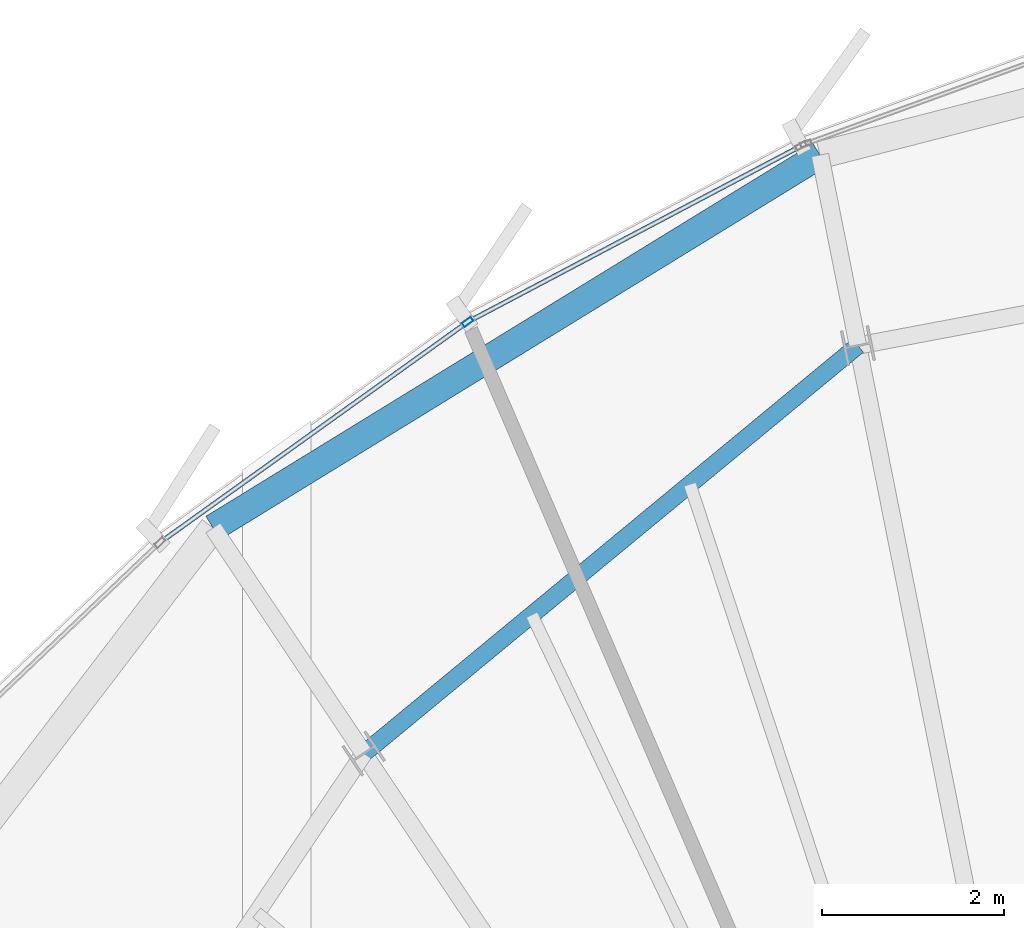
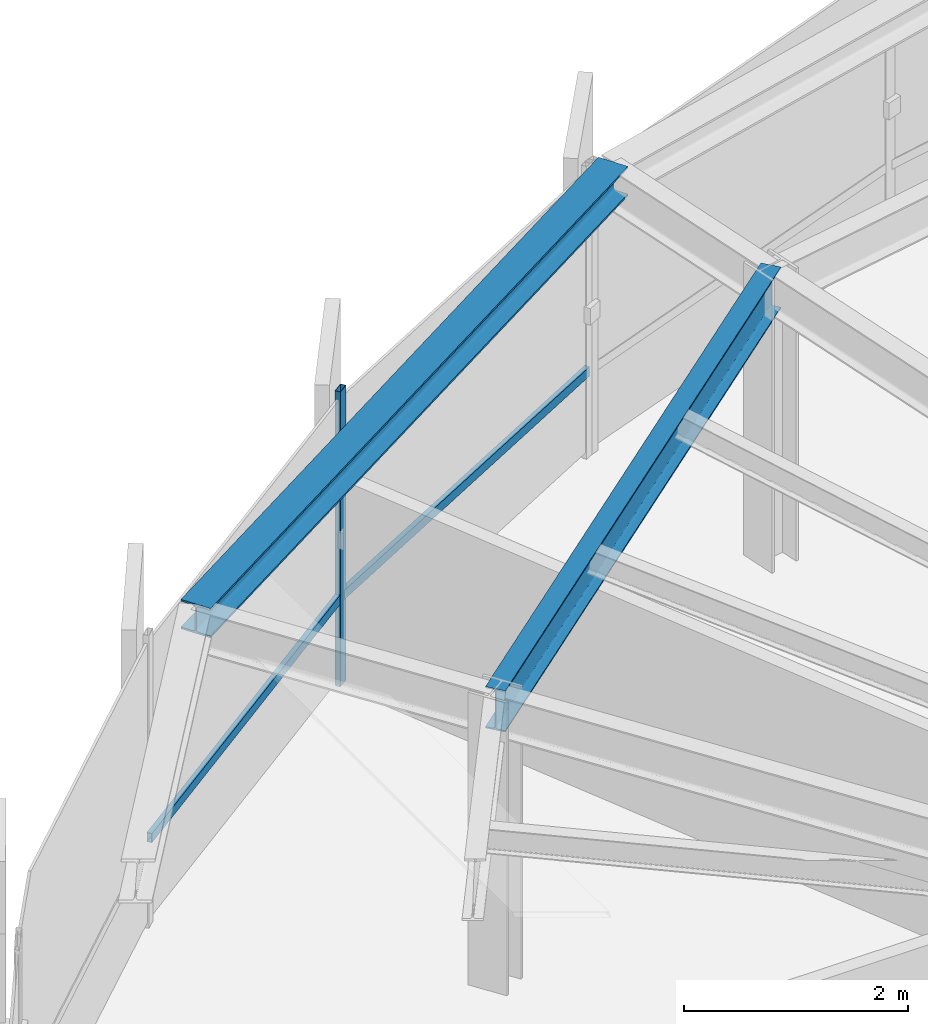
# One storey, part 21 of 36: 3 members, 2 beams, 1 element without a shape of its own.
"""IFC4 building model written with IfcOpenShell, lengths in metres."""

from ifc_helpers import new_model, si_unit, direction, frame, origin, origin_2d, place, context, subcontext, project, spatial, hollow_rectangle, i_section, extrude, source, transform, mapped, material, layer, layer_set, material_profile, profile_set, type_object, element, aggregate, save


model = new_model("IFC4")

# Units and contexts
model_context = context("Model", 3, precision=1e-05, world=origin(), true_north=direction((0.0, 1.0)))
body_context = subcontext(model_context, "Body", "Model", "MODEL_VIEW")
ifc_project = project(units=[si_unit("LENGTHUNIT", "METRE"), si_unit("AREAUNIT", "SQUARE_METRE"), si_unit("VOLUMEUNIT", "CUBIC_METRE"), si_unit("PLANEANGLEUNIT", "RADIAN"), si_unit("MASSUNIT", "GRAM", prefix="KILO"), si_unit("THERMODYNAMICTEMPERATUREUNIT", "KELVIN")], contexts=[model_context])

# Site, building, storey
site_placement = place(None, origin())
site = spatial("IfcSite", under=ifc_project, at=site_placement, CompositionType="ELEMENT")
building_placement = place(site_placement, origin())
building = spatial("IfcBuilding", under=site, at=building_placement, Name="Kethvar Cultural Tower", CompositionType="ELEMENT")
storey_placement = place(building_placement, frame((0.0, 0.0, 228.39990234375)))
storey = spatial("IfcBuildingStorey", under=building, at=storey_placement, Name="L59", CompositionType="ELEMENT", Elevation=228.39990234375)

# Beams
ifc_material_1 = material(Name="Steel S355J2", Category="steel")
ifc_material_profile_1 = material_profile(ifc_material_1, i_section(OverallWidth=0.18994140625, OverallDepth=0.449951171875, WebThickness=0.009521484375, FlangeThickness=0.0146484375, FilletRadius=0.02099609375, at=origin_2d()), Name="Steel S355J2 — IPE450")
ifc_profile_set_1 = profile_set([ifc_material_profile_1], Name="Steel S355J2 — IPE450")
beam_type_1 = type_object("IfcBeamType", Name="BM-IPE450", PredefinedType="BEAM", material=ifc_profile_set_1)
shared_shape_1 = source(origin(), body_context, "Body", "SweptSolid", [
    extrude(i_section(OverallWidth=0.18994140625, OverallDepth=0.449951171875, WebThickness=0.009521484375, FlangeThickness=0.0146484375, FilletRadius=0.02099609375, at=origin_2d()), origin(), (0.0, 0.0, 1.0), 7.03271484375),
])
beam_1_placement = place(storey_placement, frame((43.23291015625, 45.732421875, 2.983154296875), z_axis=(-0.771161072103, -0.636640087391, 0.0), x_axis=(0.636640087391, -0.771161072103, 0.0)))
element("IfcBeam", 1, at=beam_1_placement, inside=storey, type_object=beam_type_1, Name="L59 Column Ring Tie Beam CR-05", PredefinedType="BEAM", context=body_context, shape_type="MappedRepresentation", body=[
    mapped(shared_shape_1, transform((0.0, 0.0, 0.0), scale=1.0)),
])
ifc_material_profile_2 = material_profile(ifc_material_1, i_section(OverallWidth=0.300048828125, OverallDepth=0.320068359375, WebThickness=0.011474609375, FlangeThickness=0.0205078125, FilletRadius=0.027099609375, at=origin_2d()), Name="Steel S355J2 — HEB320")
ifc_profile_set_2 = profile_set([ifc_material_profile_2], Name="Steel S355J2 — HEB320")
beam_type_2 = type_object("IfcBeamType", Name="BM-SP320", PredefinedType="SPANDREL", material=ifc_profile_set_2)
shared_shape_2 = source(origin(), body_context, "Body", "SweptSolid", [
    extrude(i_section(OverallWidth=0.300048828125, OverallDepth=0.320068359375, WebThickness=0.011474609375, FlangeThickness=0.0205078125, FilletRadius=0.027099609375, at=origin_2d()), origin(), (0.0, 0.0, 1.0), 7.81884765625),
])
beam_2_placement = place(storey_placement, frame((42.81689453125, 47.82421875, 3.048095703125), z_axis=(-0.852056887334, -0.523449195956, 0.0), x_axis=(0.523449195956, -0.852056887334, 0.0)))
element("IfcBeam", 2, at=beam_2_placement, inside=storey, type_object=beam_type_2, Name="L59 Perimeter Spandrel Beam SP-05", PredefinedType="SPANDREL", context=body_context, shape_type="MappedRepresentation", body=[
    mapped(shared_shape_2, transform((0.0, 0.0, 0.0), scale=1.0)),
])

# Curtain wall, members
ifc_material_2 = material(Name="Aluminium 6063-T6", Category="aluminium")
ifc_layer = layer(ifc_material_2, 0.179931640625, Name="Aluminium 6063-T6", Category="aluminium")
ifc_layer_set = layer_set([ifc_layer], Name="Aluminium 6063-T6 (180 mm)")
curtain_wall_type = type_object("IfcCurtainWallType", Name="CW-SYS-05-Z56", PredefinedType="NOTDEFINED", material=ifc_layer_set)
curtain_wall_placement = place(storey_placement, origin())
curtain_wall = element("IfcCurtainWall", 3, at=curtain_wall_placement, inside=storey, type_object=curtain_wall_type, Name="L59 Curtain Wall Run 02", PredefinedType="NOTDEFINED")
ifc_material_profile_3 = material_profile(ifc_material_2, hollow_rectangle(XDim=0.054931640625, YDim=0.1201171875, WallThickness=0.00390625, at=origin_2d()), Name="Aluminium 6063-T6 — RHS120x55x4")
ifc_profile_set_3 = profile_set([ifc_material_profile_3], Name="Aluminium 6063-T6 — RHS120x55x4")
member_type_1 = type_object("IfcMemberType", Name="CW-SYS-05-Z56-MUL", PredefinedType="MULLION", material=ifc_profile_set_3)
shared_shape_3 = source(origin(), body_context, "Body", "SweptSolid", [
    extrude(hollow_rectangle(XDim=0.054931640625, YDim=0.1201171875, WallThickness=0.00390625, at=origin_2d()), origin(), (0.0, 0.0, 1.0), 3.210205078125),
])
member_1_placement = place(storey_placement, frame((38.950439453125, 45.992919921875, 0.0), z_axis=(0.0, 0.0, 1.0), x_axis=(0.582704663769, -0.812683994442, 0.0)))
member_1 = element("IfcMember", 4, at=member_1_placement, type_object=member_type_1, Name="CW-L59-R02 Mullion 2", PredefinedType="MULLION", context=body_context, shape_type="MappedRepresentation", body=[
    mapped(shared_shape_3, transform((0.0, 0.0, 0.0), scale=1.0)),
])
ifc_material_profile_4 = material_profile(ifc_material_2, hollow_rectangle(XDim=0.050048828125, YDim=0.10009765625, WallThickness=0.00390625, at=origin_2d()), Name="Aluminium 6063-T6 — RHS100x50x4")
ifc_profile_set_4 = profile_set([ifc_material_profile_4], Name="Aluminium 6063-T6 — RHS100x50x4")
member_type_2 = type_object("IfcMemberType", Name="CW-SYS-05-Z56-TRN", PredefinedType="USERDEFINED", material=ifc_profile_set_4)
shared_shape_4 = source(origin(), body_context, "Body", "SweptSolid", [
    extrude(hollow_rectangle(XDim=0.050048828125, YDim=0.10009765625, WallThickness=0.00390625, at=origin_2d()), origin(), (0.0, 0.0, 1.0), 4.108154296875),
])
member_2_placement = place(storey_placement, frame((42.606689453125, 47.9228515625, 0.9501953125), z_axis=(-0.884270248136, -0.466975511415, 0.0), x_axis=(0.466975511415, -0.884270248136, 0.0)))
member_2 = element("IfcMember", 5, at=member_2_placement, type_object=member_type_2, Name="CW-L59-R02 Transom 1", ObjectType="TRANSOM", PredefinedType="USERDEFINED", context=body_context, shape_type="MappedRepresentation", body=[
    mapped(shared_shape_4, transform((0.0, 0.0, 0.0), scale=1.0)),
])
shared_shape_5 = source(origin(), body_context, "Body", "SweptSolid", [
    extrude(hollow_rectangle(XDim=0.050048828125, YDim=0.10009765625, WallThickness=0.00390625, at=origin_2d()), origin(), (0.0, 0.0, 1.0), 4.0908203125),
])
member_3_placement = place(storey_placement, frame((38.918212890625, 45.969970703125, 0.9501953125), z_axis=(-0.812643312706, -0.582761397413, 0.0), x_axis=(0.582761397413, -0.812643312706, 0.0)))
member_3 = element("IfcMember", 6, at=member_3_placement, type_object=member_type_2, Name="CW-L59-R02 Transom 2", ObjectType="TRANSOM", PredefinedType="USERDEFINED", context=body_context, shape_type="MappedRepresentation", body=[
    mapped(shared_shape_5, transform((0.0, 0.0, 0.0), scale=1.0)),
])
aggregate(curtain_wall, [member_1, member_2, member_3])

save(model, "model.ifc")
